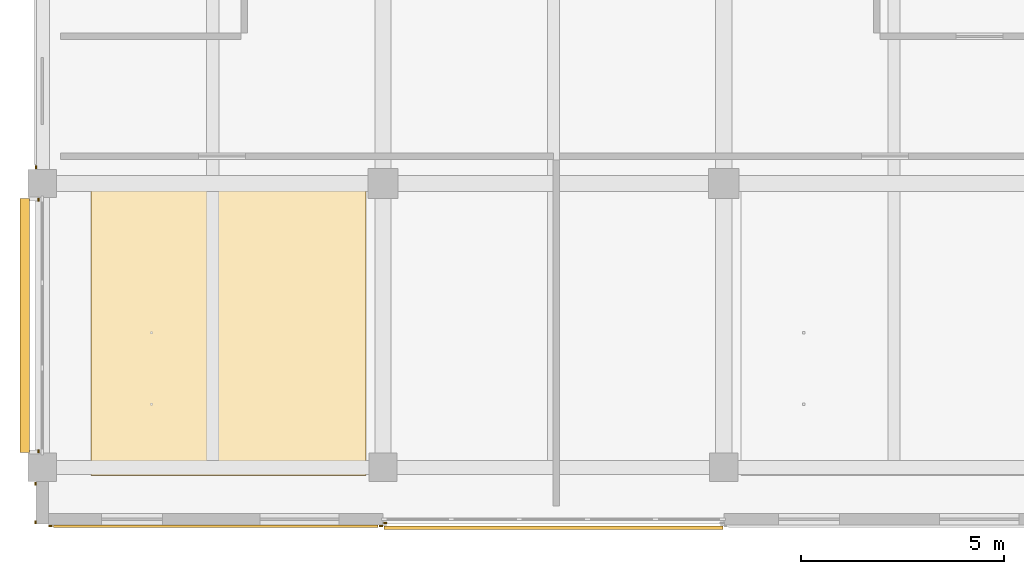
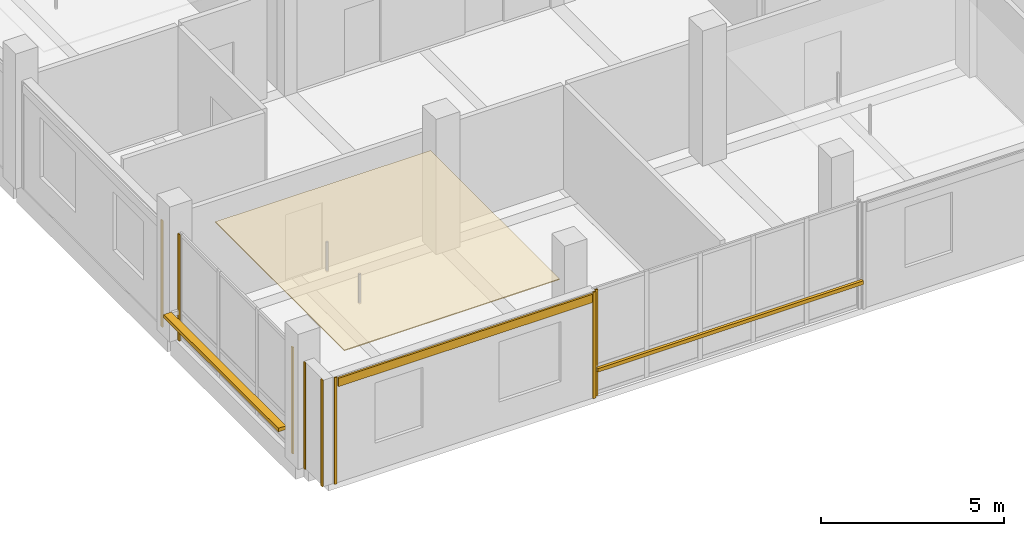
# One storey, part 22 of 32: 10 coverings, 2 shading devices.
"""IFC4 building model written with IfcOpenShell, lengths in metres."""

from ifc_helpers import new_model, si_unit, direction, frame, origin, origin_2d, place, context, subcontext, project, spatial, polyline, rectangle, outline, extrude, material, layer, layer_set, type_object, element, save


model = new_model("IFC4")

# Units and contexts
model_context = context("Model", 3, precision=1e-05, world=origin(), true_north=direction((0.0, 1.0)))
body_context = subcontext(model_context, "Body", "Model", "MODEL_VIEW")
ifc_project = project(units=[si_unit("LENGTHUNIT", "METRE"), si_unit("AREAUNIT", "SQUARE_METRE"), si_unit("VOLUMEUNIT", "CUBIC_METRE"), si_unit("PLANEANGLEUNIT", "RADIAN"), si_unit("MASSUNIT", "GRAM", prefix="KILO")], contexts=[model_context])

# Site, building, storey
site_placement = place(None, origin())
site = spatial("IfcSite", under=ifc_project, at=site_placement, CompositionType="ELEMENT")
building_placement = place(site_placement, origin())
building = spatial("IfcBuilding", under=site, at=building_placement, Name="Telukmera Botanical Conservatory", CompositionType="ELEMENT")
storey_placement = place(building_placement, frame((0.0, 0.0, 42.0)))
storey = spatial("IfcBuildingStorey", under=building, at=storey_placement, Name="L09", CompositionType="ELEMENT", Elevation=42.0)

# Coverings
ifc_material_1 = material(Name="Mineral fibre acoustic ceiling")
ifc_layer_1 = layer(ifc_material_1, 0.030029296875)
ifc_layer_set_1 = layer_set([ifc_layer_1], Name="Mineral fibre acoustic ceiling")
covering_type_1 = type_object("IfcCoveringType", Name="COV-CEIL-30", PredefinedType="CEILING", material=ifc_layer_set_1)
covering_1_placement = place(storey_placement, frame((0.0, 0.0, 3.320068359375)))
element("IfcCovering", 1, at=covering_1_placement, inside=storey, type_object=covering_type_1, Name="L09 Research Laboratory Suspended Acoustic Ceiling", PredefinedType="CEILING", context=body_context, shape_type="SweptSolid", body=[
    extrude(outline(polyline([(51.60009765625, 10.39990234375), (58.3798828125, 10.39990234375), (58.3798828125, 17.449951171875), (51.60009765625, 17.449951171875), (51.60009765625, 10.39990234375)])), origin(), (0.0, 0.0, 1.0), 0.030029296875),
])
ifc_material_2 = material(Name="Granite-faced precast concrete C40/50", Category="masonry")
ifc_layer_2 = layer(ifc_material_2, 0.0400390625)
ifc_layer_set_2 = layer_set([ifc_layer_2], Name="Granite-faced precast concrete C40/50")
covering_type_2 = type_object("IfcCoveringType", Name="Granite Precast Column Pier Reveal Casing", PredefinedType="CLADDING", material=ifc_layer_set_2)
for number, where, z_axis, x_axis, name in (
    (2, (50.22998046875, 9.25, 0.0), (0.0, 0.0, 1.0), (0.0, 1.0, 0.0), "Granite Pier Reveal V4:L09:SWC L"),
    (3, (50.22998046875, 10.197998046875, 0.0), (0.0, 0.0, 1.0), (0.0, 1.0, 0.0), "Granite Pier Reveal V4:L09:SWC R"),
    (4, (50.60205078125, 9.159912109375, 0.0), (0.0, 0.0, 1.0), (1.0, 0.0, 0.0), "Granite Pier Reveal V4:L09:S1 L"),
    (5, (58.748046875, 9.159912109375, 0.0), (0.0, 0.0, 1.0), (1.0, 0.0, 0.0), "Granite Pier Reveal V4:L09:S1 R"),
    (6, (58.85205078125, 9.22998046875, 0.0), (0.0, 0.0, 1.0), (1.0, 0.0, 0.0), "Granite Pier Reveal V4:L09:S2 L"),
    (7, (50.31005859375, 11.001953125, 0.0), (0.0, 0.0, 1.0), (0.0, 1.0, 0.0), "Granite Pier Reveal V4:L09:W1 L"),
    (8, (50.31005859375, 17.197998046875, 0.0), (0.0, 0.0, 1.0), (0.0, 1.0, 0.0), "Granite Pier Reveal V4:L09:W1 R"),
    (9, (50.239990234375, 18.001953125, 0.0), (0.0, 0.0, 1.0), (0.0, 1.0, 0.0), "Granite Pier Reveal V4:L09:W2 L"),
):
    element("IfcCovering", number, at=place(storey_placement, frame(where, z_axis=z_axis, x_axis=x_axis)), inside=storey, type_object=covering_type_2, Name=name, PredefinedType="CLADDING", context=body_context, shape_type="SweptSolid", body=[
        extrude(rectangle(XDim=0.080078125, YDim=0.0400390625, at=origin_2d()), origin(), (0.0, 0.0, 1.0), 3.550048828125),
    ])

# Shading devices
ifc_material_3 = material(Name="Perforated terracotta-anodised aluminium 6063-T6", Category="masonry")
ifc_layer_3 = layer(ifc_material_3, 0.044921875)
ifc_layer_set_3 = layer_set([ifc_layer_3], Name="Perforated terracotta-anodised aluminium 6063-T6")
shading_device_type = type_object("IfcShadingDeviceType", Name="Perforated Terracotta Aluminium Monsoon Brise Soleil", PredefinedType="JALOUSIE", material=ifc_layer_set_3)
shading_device_1_placement = place(storey_placement, frame((63.0, 9.114990234375, 0.889892578125), z_axis=(0.0, 0.0, 1.0), x_axis=(1.0, 0.0, 0.0)))
element("IfcShadingDevice", 10, at=shading_device_1_placement, inside=storey, type_object=shading_device_type, Name="Monsoon Shading BS01 V4:L09:S2", PredefinedType="JALOUSIE", context=body_context, shape_type="SweptSolid", body=[
    extrude(rectangle(XDim=8.35595703125, YDim=0.090087890625, at=origin_2d()), origin(), (0.0, 0.0, 1.0), 0.1201171875),
])
shading_device_2_placement = place(storey_placement, frame((49.969970703125, 14.10009765625, 0.889892578125), z_axis=(0.0, 0.0, 1.0), x_axis=(0.0, 1.0, 0.0)))
element("IfcShadingDevice", 11, at=shading_device_2_placement, inside=storey, type_object=shading_device_type, Name="Monsoon Shading BS01 V4:L09:W1", PredefinedType="JALOUSIE", context=body_context, shape_type="SweptSolid", body=[
    extrude(rectangle(XDim=6.256103515625, YDim=0.239990234375, at=origin_2d()), origin(), (0.0, 0.0, 1.0), 0.1201171875),
])

# Covering
ifc_material_4 = material(Name="Terracotta-faced precast concrete C40/50", Category="masonry")
ifc_layer_4 = layer(ifc_material_4, 0.06005859375)
ifc_layer_set_4 = layer_set([ifc_layer_4], Name="Terracotta-faced precast concrete C40/50")
covering_type_3 = type_object("IfcCoveringType", Name="Polychrome Terracotta Facade Band Cladding", PredefinedType="CLADDING", material=ifc_layer_set_4)
covering_2_placement = place(storey_placement, frame((54.675048828125, 9.14990234375, 3.22998046875), z_axis=(0.0, 0.0, 1.0), x_axis=(1.0, 0.0, 0.0)))
element("IfcCovering", 12, at=covering_2_placement, inside=storey, type_object=covering_type_3, Name="Polychrome Terracotta Band V4:L09:S1", PredefinedType="CLADDING", context=body_context, shape_type="SweptSolid", body=[
    extrude(rectangle(XDim=8.006103515625, YDim=0.06005859375, at=origin_2d()), origin(), (0.0, 0.0, 1.0), 0.280029296875),
])

save(model, "model.ifc")
